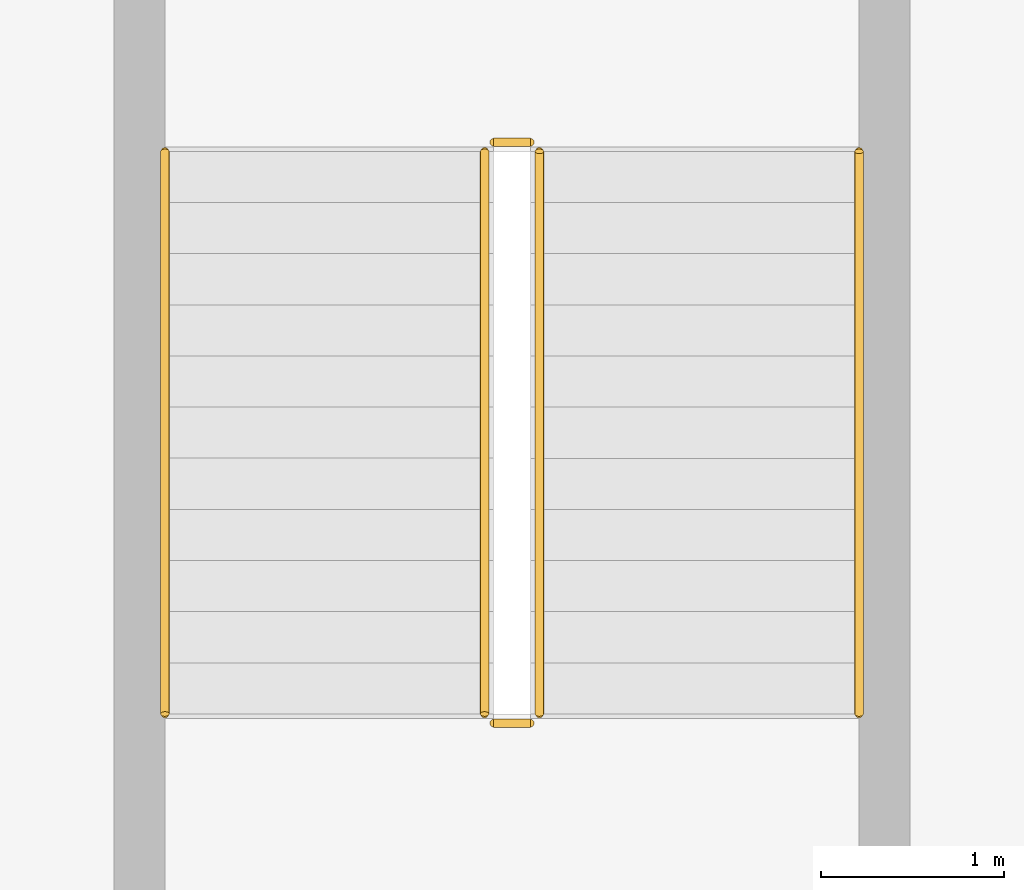
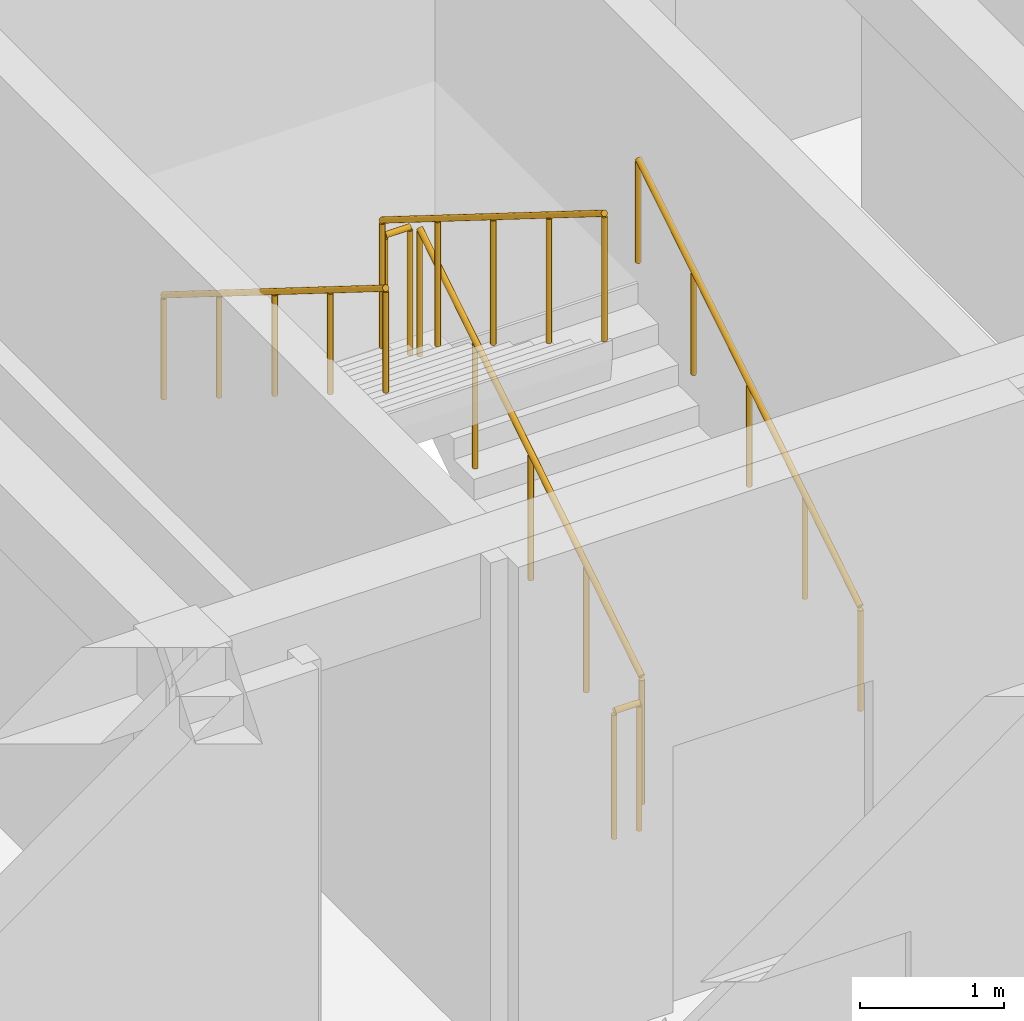
# One storey, part 24 of 26: 6 railings.
"""IFC4 building model written with IfcOpenShell, lengths in metres."""

from ifc_helpers import new_model, si_unit, direction, frame, origin, origin_2d, place, context, subcontext, project, spatial, circle, extrude, material, type_object, element, save


model = new_model("IFC4")

# Units and contexts
model_context = context("Model", 3, precision=1e-05, world=origin(), true_north=direction((0.0, 1.0)))
body_context = subcontext(model_context, "Body", "Model", "MODEL_VIEW")
ifc_project = project(units=[si_unit("LENGTHUNIT", "METRE"), si_unit("AREAUNIT", "SQUARE_METRE"), si_unit("VOLUMEUNIT", "CUBIC_METRE"), si_unit("PLANEANGLEUNIT", "RADIAN"), si_unit("MASSUNIT", "GRAM", prefix="KILO")], contexts=[model_context])

# Site, building, storey
site_placement = place(None, origin())
site = spatial("IfcSite", under=ifc_project, at=site_placement, CompositionType="ELEMENT")
building_placement = place(site_placement, origin())
building = spatial("IfcBuilding", under=site, at=building_placement, Name="Varncliffe General Hospital", CompositionType="ELEMENT")
storey_placement = place(building_placement, frame((0.0, 0.0, 28.800048828125)))
storey = spatial("IfcBuildingStorey", under=building, at=storey_placement, Name="L06", CompositionType="ELEMENT", Elevation=28.800048828125)

# Railings
ifc_material = material(Name="Powder-coated hospital steel guardrail and handrail", Category="steel")
railing_type_1 = type_object("IfcRailingType", Name="Stair and Ramp Handrail HR46", PredefinedType="HANDRAIL", material=ifc_material)
railing_1_placement = place(storey_placement, frame((123.949951171875, 118.0, 0.35400390625)))
element("IfcRailing", 1, at=railing_1_placement, inside=storey, type_object=railing_type_1, Name="L06 ST03 stair handrail 1", PredefinedType="HANDRAIL", context=body_context, shape_type="SweptSolid", body=[
    extrude(circle(Radius=0.02392578125, at=origin_2d()), frame((0.0, 0.0, 0.8759765625), z_axis=(0.0, 0.847998304005, 0.529998940003), x_axis=(-1.0, 0.0, 0.0)), (0.0, 0.0, 1.0), 3.632080078125),
    extrude(circle(Radius=0.02099609375, at=origin_2d()), origin(), (0.0, 0.0, 1.0), 0.851806640625),
    extrude(circle(Radius=0.02099609375, at=origin_2d()), frame((0.0, 0.77001953125, 0.481201171875)), (0.0, 0.0, 1.0), 0.851806640625),
    extrude(circle(Radius=0.02099609375, at=origin_2d()), frame((0.0, 1.5400390625, 0.96240234375)), (0.0, 0.0, 1.0), 0.851806640625),
    extrude(circle(Radius=0.02099609375, at=origin_2d()), frame((0.0, 2.31005859375, 1.44384765625)), (0.0, 0.0, 1.0), 0.851806640625),
    extrude(circle(Radius=0.02099609375, at=origin_2d()), frame((0.0, 3.080078125, 1.925048828125)), (0.0, 0.0, 1.0), 0.851806640625),
])
railing_2_placement = place(storey_placement, frame((120.14990234375, 121.080078125, 2.453857421875)))
element("IfcRailing", 2, at=railing_2_placement, inside=storey, type_object=railing_type_1, Name="L06 ST03 stair handrail 2", PredefinedType="HANDRAIL", context=body_context, shape_type="SweptSolid", body=[
    extrude(circle(Radius=0.02392578125, at=origin_2d()), frame((0.0, 0.0, 0.8759765625), z_axis=(0.0, -0.847998304005, 0.529998940003), x_axis=(1.0, 0.0, 0.0)), (0.0, 0.0, 1.0), 3.632080078125),
    extrude(circle(Radius=0.02099609375, at=origin_2d()), origin(), (0.0, 0.0, 1.0), 0.851806640625),
    extrude(circle(Radius=0.02099609375, at=origin_2d()), frame((0.0, -0.77001953125, 0.481201171875)), (0.0, 0.0, 1.0), 0.851806640625),
    extrude(circle(Radius=0.02099609375, at=origin_2d()), frame((0.0, -1.5400390625, 0.96240234375)), (0.0, 0.0, 1.0), 0.851806640625),
    extrude(circle(Radius=0.02099609375, at=origin_2d()), frame((0.0, -2.31005859375, 1.44384765625)), (0.0, 0.0, 1.0), 0.851806640625),
    extrude(circle(Radius=0.02099609375, at=origin_2d()), frame((0.0, -3.080078125, 1.925048828125)), (0.0, 0.0, 1.0), 0.851806640625),
])
railing_type_2 = type_object("IfcRailingType", Name="Stairwell Guardrail SG49", PredefinedType="GUARDRAIL", material=ifc_material)
railing_3_placement = place(storey_placement, frame((122.199951171875, 118.0, 0.175048828125)))
element("IfcRailing", 3, at=railing_3_placement, inside=storey, type_object=railing_type_2, Name="L06 ST03 stair guard 1", PredefinedType="GUARDRAIL", context=body_context, shape_type="SweptSolid", body=[
    extrude(circle(Radius=0.02392578125, at=origin_2d()), frame((0.0, 0.0, 1.076171875), z_axis=(0.0, 0.848028513186, 0.529950602248), x_axis=(-1.0, 0.0, 0.0)), (0.0, 0.0, 1.0), 3.632080078125),
    extrude(circle(Radius=0.02099609375, at=origin_2d()), origin(), (0.0, 0.0, 1.0), 1.052001953125),
    extrude(circle(Radius=0.02099609375, at=origin_2d()), frame((0.0, 0.77001953125, 0.481201171875)), (0.0, 0.0, 1.0), 1.052001953125),
    extrude(circle(Radius=0.02099609375, at=origin_2d()), frame((0.0, 1.5400390625, 0.96240234375)), (0.0, 0.0, 1.0), 1.052001953125),
    extrude(circle(Radius=0.02099609375, at=origin_2d()), frame((0.0, 2.31005859375, 1.443603515625)), (0.0, 0.0, 1.0), 1.052001953125),
    extrude(circle(Radius=0.02099609375, at=origin_2d()), frame((0.0, 3.080078125, 1.9248046875)), (0.0, 0.0, 1.0), 1.052001953125),
])
railing_4_placement = place(storey_placement, frame((122.14990234375, 121.1298828125, 2.099853515625)))
element("IfcRailing", 4, at=railing_4_placement, inside=storey, type_object=railing_type_2, Name="L06 ST03 stair guard 2", PredefinedType="GUARDRAIL", context=body_context, shape_type="SweptSolid", body=[
    extrude(circle(Radius=0.02392578125, at=origin_2d()), frame((0.0, 0.0, 1.076171875), z_axis=(-1.0, 0.0, 0.0), x_axis=(0.0, -1.0, 0.0)), (0.0, 0.0, 1.0), 0.199951171875),
    extrude(circle(Radius=0.02099609375, at=origin_2d()), origin(), (0.0, 0.0, 1.0), 1.052001953125),
    extrude(circle(Radius=0.02099609375, at=origin_2d()), frame((-0.199951171875, 0.0, 0.0)), (0.0, 0.0, 1.0), 1.052001953125),
])
railing_5_placement = place(storey_placement, frame((121.89990234375, 121.080078125, 2.27490234375)))
element("IfcRailing", 5, at=railing_5_placement, inside=storey, type_object=railing_type_2, Name="L06 ST03 stair guard 3", PredefinedType="GUARDRAIL", context=body_context, shape_type="SweptSolid", body=[
    extrude(circle(Radius=0.02392578125, at=origin_2d()), frame((0.0, 0.0, 1.076171875), z_axis=(0.0, -0.847998304005, 0.529998940003), x_axis=(1.0, 0.0, 0.0)), (0.0, 0.0, 1.0), 3.632080078125),
    extrude(circle(Radius=0.02099609375, at=origin_2d()), origin(), (0.0, 0.0, 1.0), 1.052001953125),
    extrude(circle(Radius=0.02099609375, at=origin_2d()), frame((0.0, -0.77001953125, 0.481201171875)), (0.0, 0.0, 1.0), 1.052001953125),
    extrude(circle(Radius=0.02099609375, at=origin_2d()), frame((0.0, -1.5400390625, 0.96240234375)), (0.0, 0.0, 1.0), 1.052001953125),
    extrude(circle(Radius=0.02099609375, at=origin_2d()), frame((0.0, -2.31005859375, 1.44384765625)), (0.0, 0.0, 1.0), 1.052001953125),
    extrude(circle(Radius=0.02099609375, at=origin_2d()), frame((0.0, -3.080078125, 1.925048828125)), (0.0, 0.0, 1.0), 1.052001953125),
])
railing_6_placement = place(storey_placement, frame((122.14990234375, 117.949951171875, 0.0)))
element("IfcRailing", 6, at=railing_6_placement, inside=storey, type_object=railing_type_2, Name="L06 ST03 stair guard 4", PredefinedType="GUARDRAIL", context=body_context, shape_type="SweptSolid", body=[
    extrude(circle(Radius=0.02392578125, at=origin_2d()), frame((0.0, 0.0, 1.076171875), z_axis=(-1.0, 0.0, 0.0), x_axis=(0.0, -1.0, 0.0)), (0.0, 0.0, 1.0), 0.199951171875),
    extrude(circle(Radius=0.02099609375, at=origin_2d()), origin(), (0.0, 0.0, 1.0), 1.052001953125),
    extrude(circle(Radius=0.02099609375, at=origin_2d()), frame((-0.199951171875, 0.0, 0.0)), (0.0, 0.0, 1.0), 1.052001953125),
])

save(model, "model.ifc")
